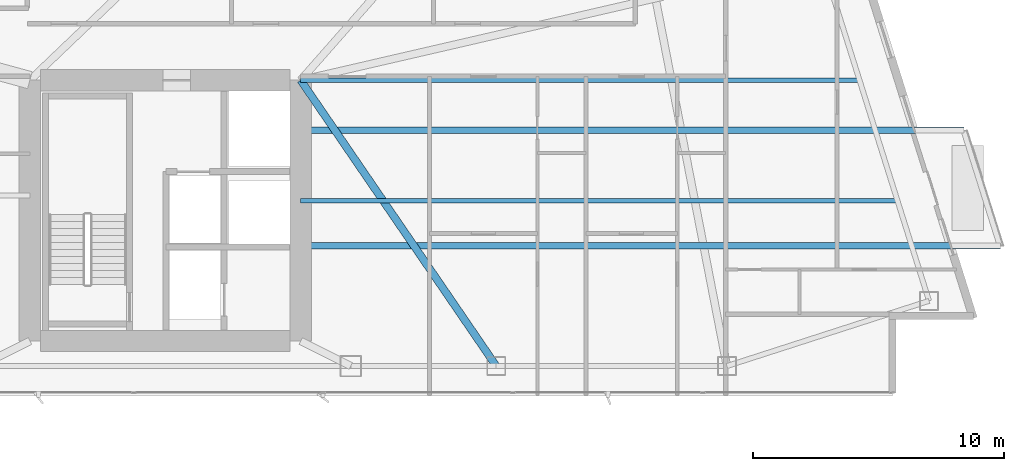
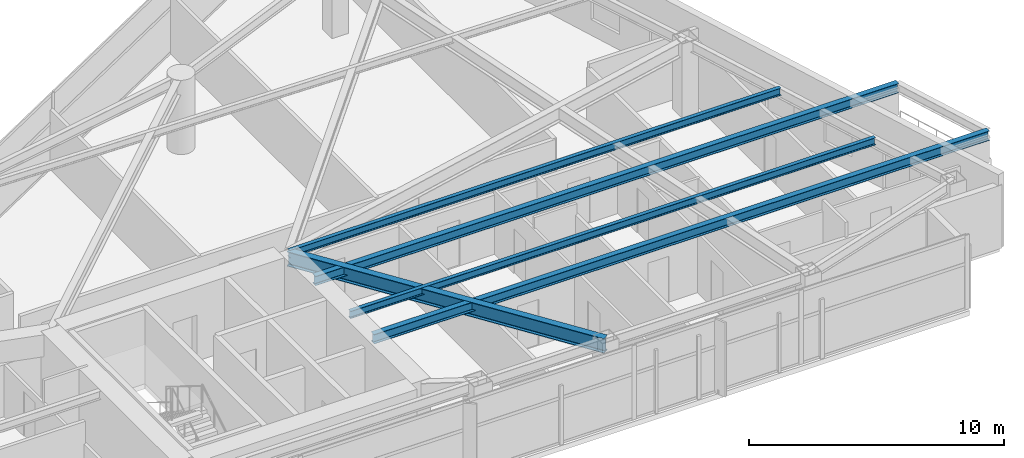
# One storey, part 13 of 29: 5 beams.
"""IFC4 building model written with IfcOpenShell, lengths in metres."""

from ifc_helpers import new_model, si_unit, direction, frame, origin, origin_2d, place, context, subcontext, project, spatial, i_section, extrude, material, material_profile, profile_set, type_object, element, save


model = new_model("IFC4")

# Units and contexts
model_context = context("Model", 3, precision=1e-05, world=origin(), true_north=direction((0.0, 1.0)))
body_context = subcontext(model_context, "Body", "Model", "MODEL_VIEW")
ifc_project = project(units=[si_unit("LENGTHUNIT", "METRE"), si_unit("AREAUNIT", "SQUARE_METRE"), si_unit("VOLUMEUNIT", "CUBIC_METRE"), si_unit("PLANEANGLEUNIT", "RADIAN"), si_unit("MASSUNIT", "GRAM", prefix="KILO")], contexts=[model_context])

# Site, building, storey
site_placement = place(None, origin())
site = spatial("IfcSite", under=ifc_project, at=site_placement, CompositionType="ELEMENT")
building_placement = place(site_placement, origin())
building = spatial("IfcBuilding", under=site, at=building_placement, Name="Calvorn Quay Hotel", CompositionType="ELEMENT")
storey_placement = place(building_placement, frame((0.0, 0.0, 120.199951171875)))
storey = spatial("IfcBuildingStorey", under=building, at=storey_placement, Name="L29", CompositionType="ELEMENT", Elevation=120.199951171875)

# Beams
ifc_material_1 = material(Name="Steel Q355B", Category="steel")
ifc_material_profile_1 = material_profile(ifc_material_1, i_section(OverallWidth=0.25, OverallDepth=0.449951171875, WebThickness=0.011962890625, FlangeThickness=0.01611328125, FilletRadius=0.01611328125, at=origin_2d()), Name="HN450x250x12x16")
ifc_profile_set_1 = profile_set([ifc_material_profile_1], Name="Steel Q355B")
beam_type_1 = type_object("IfcBeamType", Name="BM-CANT-BALC", PredefinedType="BEAM", material=ifc_profile_set_1)
beam_1_placement = place(storey_placement, frame((32.39990234375, 8.39990234375, 3.31494140625), z_axis=(1.0, 0.0, 0.0), x_axis=(0.0, 1.0, 0.0)))
element("IfcBeam", 1, at=beam_1_placement, inside=storey, type_object=beam_type_1, Name="Cantilever Balcony Beam BCB-L30-1A", PredefinedType="BEAM", context=body_context, shape_type="SweptSolid", body=[
    extrude(i_section(OverallWidth=0.25, OverallDepth=0.449951171875, WebThickness=0.011962890625, FlangeThickness=0.01611328125, FilletRadius=0.01611328125, at=origin_2d()), origin(), (0.0, 0.0, 1.0), 27.908203125),
])
beam_2_placement = place(storey_placement, frame((32.39990234375, 13.0, 3.31494140625), z_axis=(1.0, 0.0, 0.0), x_axis=(0.0, 1.0, 0.0)))
element("IfcBeam", 2, at=beam_2_placement, inside=storey, type_object=beam_type_1, Name="Cantilever Balcony Beam BCB-L30-1B", PredefinedType="BEAM", context=body_context, shape_type="SweptSolid", body=[
    extrude(i_section(OverallWidth=0.25, OverallDepth=0.449951171875, WebThickness=0.011962890625, FlangeThickness=0.01611328125, FilletRadius=0.01611328125, at=origin_2d()), origin(), (0.0, 0.0, 1.0), 26.4580078125),
])
ifc_material_2 = material(Name="Steel Q390GJC", Category="steel")
ifc_material_profile_2 = material_profile(ifc_material_2, i_section(OverallWidth=0.300048828125, OverallDepth=0.699951171875, WebThickness=0.012939453125, FlangeThickness=0.02392578125, FilletRadius=0.02392578125, at=origin_2d()), Name="HN700x300x13x24")
ifc_profile_set_2 = profile_set([ifc_material_profile_2], Name="Steel Q390GJC")
beam_type_2 = type_object("IfcBeamType", Name="BM-GIRD-MAIN", PredefinedType="BEAM", material=ifc_profile_set_2)
beam_3_placement = place(storey_placement, frame((40.199951171875, 3.60009765625, 3.18994140625), z_axis=(-0.564689618177, 0.825303359452, 0.0), x_axis=(-0.825303359452, -0.564689618177, 0.0)))
element("IfcBeam", 3, at=beam_3_placement, inside=storey, type_object=beam_type_2, Name="Beam BG-L29-E6", PredefinedType="BEAM", context=body_context, shape_type="SweptSolid", body=[
    extrude(i_section(OverallWidth=0.300048828125, OverallDepth=0.699951171875, WebThickness=0.012939453125, FlangeThickness=0.02392578125, FilletRadius=0.02392578125, at=origin_2d()), origin(), (0.0, 0.0, 1.0), 13.81298828125),
])
ifc_material_3 = material(Name="Steel Q355B", Category="steel")
ifc_material_profile_3 = material_profile(ifc_material_3, i_section(OverallWidth=0.175048828125, OverallDepth=0.35009765625, WebThickness=0.007080078125, FlangeThickness=0.010986328125, FilletRadius=0.013916015625, at=origin_2d()), Name="HN350x175x7x11")
ifc_profile_set_3 = profile_set([ifc_material_profile_3], Name="Steel Q355B")
beam_type_3 = type_object("IfcBeamType", Name="BM-JOIST-SEC", PredefinedType="JOIST", material=ifc_profile_set_3)
beam_4_placement = place(storey_placement, frame((32.39990234375, 10.199951171875, 3.364990234375), z_axis=(1.0, 0.0, 0.0), x_axis=(0.0, 1.0, 0.0)))
element("IfcBeam", 4, at=beam_4_placement, inside=storey, type_object=beam_type_3, Name="Beam BJ-L29-E1", PredefinedType="JOIST", context=body_context, shape_type="SweptSolid", body=[
    extrude(i_section(OverallWidth=0.175048828125, OverallDepth=0.35009765625, WebThickness=0.007080078125, FlangeThickness=0.010986328125, FilletRadius=0.013916015625, at=origin_2d()), origin(), (0.0, 0.0, 1.0), 23.801025390625),
])
beam_5_placement = place(storey_placement, frame((32.39990234375, 15.0, 3.364990234375), z_axis=(1.0, 0.0, 0.0), x_axis=(0.0, 1.0, 0.0)))
element("IfcBeam", 5, at=beam_5_placement, inside=storey, type_object=beam_type_3, Name="Beam BJ-L29-E2", PredefinedType="JOIST", context=body_context, shape_type="SweptSolid", body=[
    extrude(i_section(OverallWidth=0.175048828125, OverallDepth=0.35009765625, WebThickness=0.007080078125, FlangeThickness=0.010986328125, FilletRadius=0.013916015625, at=origin_2d()), origin(), (0.0, 0.0, 1.0), 22.2880859375),
])

save(model, "model.ifc")
